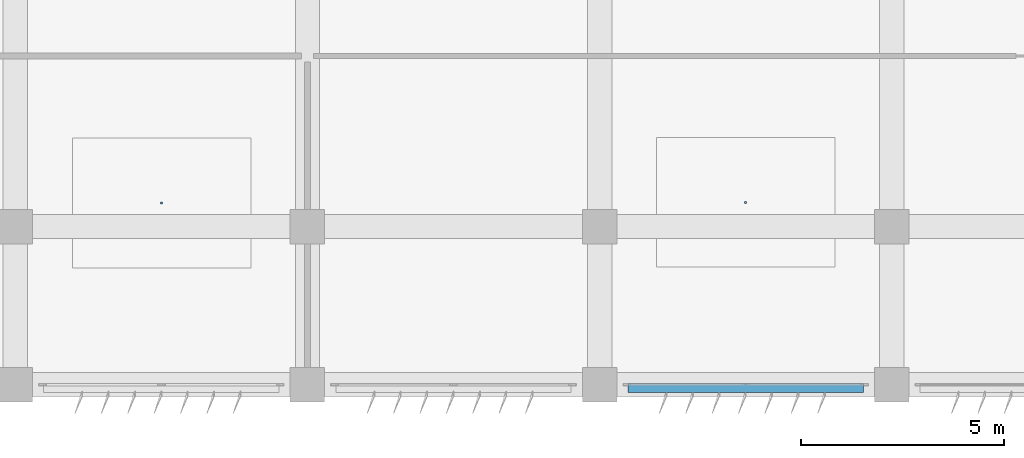
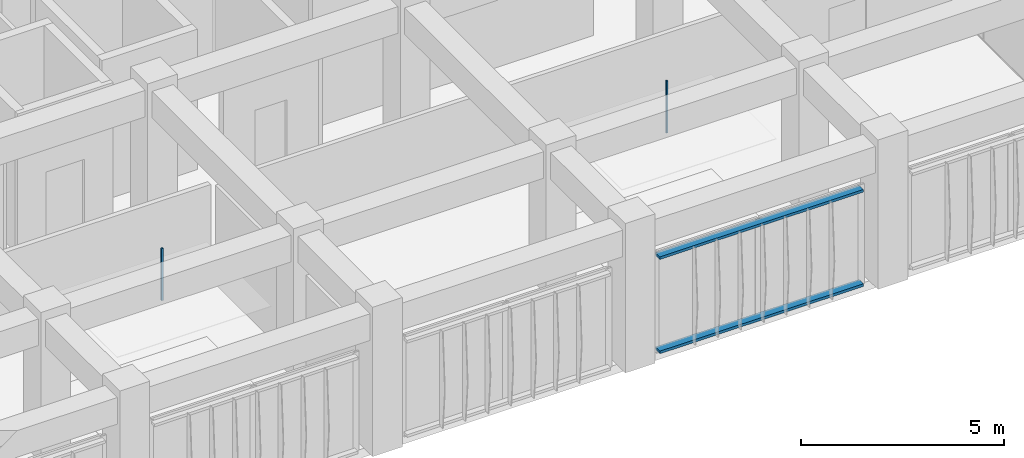
# One storey, part 35 of 48: 4 discrete accessories.
"""IFC4 building model written with IfcOpenShell, lengths in metres."""

from ifc_helpers import new_model, si_unit, direction, frame, origin, origin_2d, place, context, subcontext, project, spatial, rectangle, extrude, material, type_object, element, save


model = new_model("IFC4")

# Units and contexts
model_context = context("Model", 3, precision=1e-05, world=origin(), true_north=direction((0.0, 1.0)))
body_context = subcontext(model_context, "Body", "Model", "MODEL_VIEW")
ifc_project = project(units=[si_unit("LENGTHUNIT", "METRE"), si_unit("AREAUNIT", "SQUARE_METRE"), si_unit("VOLUMEUNIT", "CUBIC_METRE"), si_unit("PLANEANGLEUNIT", "RADIAN"), si_unit("MASSUNIT", "GRAM", prefix="KILO")], contexts=[model_context])

# Site, building, storey
site_placement = place(None, origin())
site = spatial("IfcSite", under=ifc_project, at=site_placement, CompositionType="ELEMENT")
building_placement = place(site_placement, origin())
building = spatial("IfcBuilding", under=site, at=building_placement, Name="Kazehaya Institute of Natural Sciences", CompositionType="ELEMENT")
storey_placement = place(building_placement, frame((0.0, 0.0, 19.800048828125)))
storey = spatial("IfcBuildingStorey", under=building, at=storey_placement, Name="L04", CompositionType="ELEMENT", Elevation=19.800048828125)

# Discrete accessories
ifc_material_1 = material(Name="Aluminium alloy A6063S-T5", Category="aluminium")
discrete_accessory_type_1 = type_object("IfcDiscreteAccessoryType", Name="ACC-BRK-01", PredefinedType="BRACKET", material=ifc_material_1)
for number, where, z_axis, x_axis, name in (
    (1, (108.60009765625, 10.02490234375, 0.039794921875), (0.0, 0.0, 1.0), (-1.0, 0.0, 0.0), "L04 fin support outrigger rail 1"),
    (2, (108.60009765625, 10.02490234375, 2.8798828125), (0.0, 0.0, 1.0), (-1.0, 0.0, 0.0), "L04 fin support outrigger rail 2"),
):
    element("IfcDiscreteAccessory", number, at=place(storey_placement, frame(where, z_axis=z_axis, x_axis=x_axis)), inside=storey, type_object=discrete_accessory_type_1, Name=name, PredefinedType="BRACKET", context=body_context, shape_type="SweptSolid", body=[
        extrude(rectangle(XDim=5.800048828125, YDim=0.219970703125, at=origin_2d()), origin(), (0.0, 0.0, 1.0), 0.080078125),
    ])
ifc_material_2 = material(Name="Structural steel SN490B", Category="steel")
discrete_accessory_type_2 = type_object("IfcDiscreteAccessoryType", Name="ACC-CLG-HGR", PredefinedType="BRACKET", material=ifc_material_2)
for number, where, z_axis, x_axis, name in (
    (3, (94.20556640625, 14.58056640625, 2.8525390625), (0.0, 0.0, 1.0), (1.0, 0.0, 0.0), "L04 ceiling suspension hanger 41"),
    (4, (108.59765625, 14.59619140625, 2.8525390625), (0.0, 0.0, 1.0), (1.0, 0.0, 0.0), "L04 ceiling suspension hanger 42"),
):
    element("IfcDiscreteAccessory", number, at=place(storey_placement, frame(where, z_axis=z_axis, x_axis=x_axis)), inside=storey, type_object=discrete_accessory_type_2, Name=name, PredefinedType="BRACKET", context=body_context, shape_type="SweptSolid", body=[
        extrude(rectangle(XDim=0.050048828125, YDim=0.050048828125, at=origin_2d()), origin(), (0.0, 0.0, 1.0), 1.5673828125),
    ])

save(model, "model.ifc")
